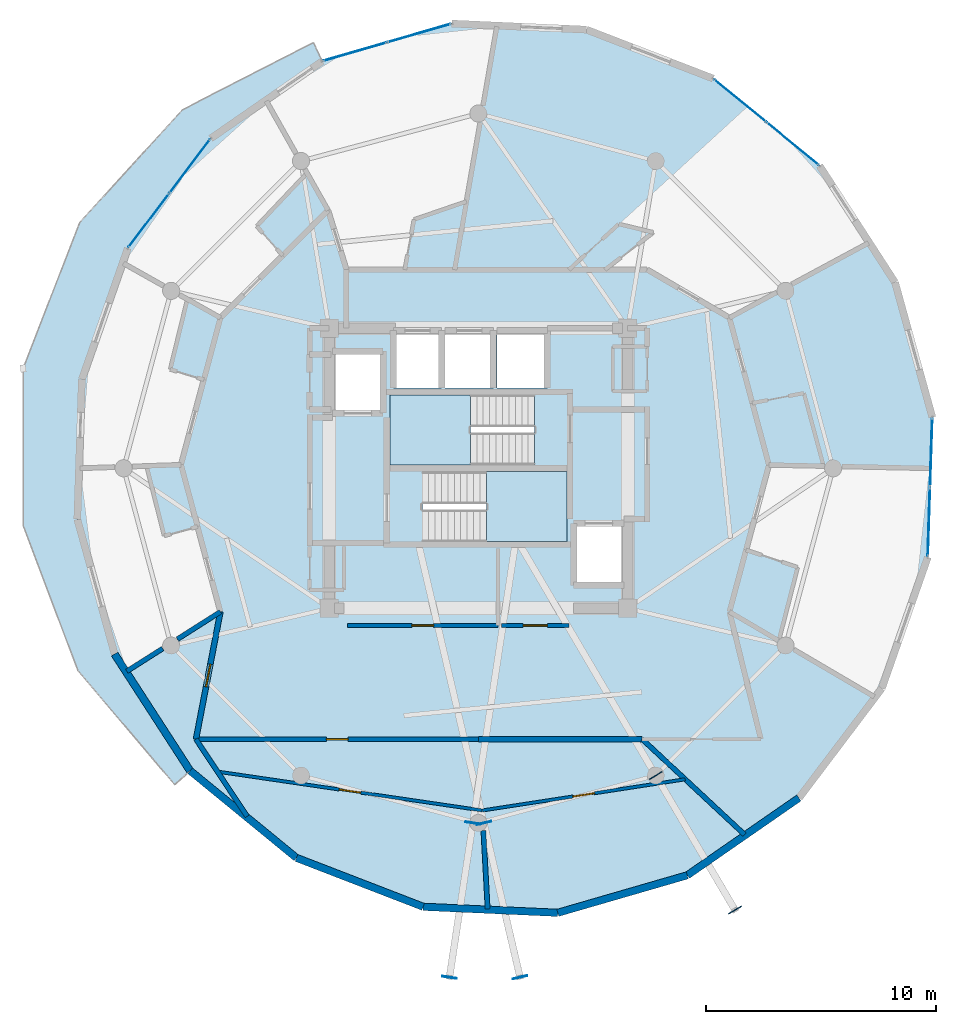
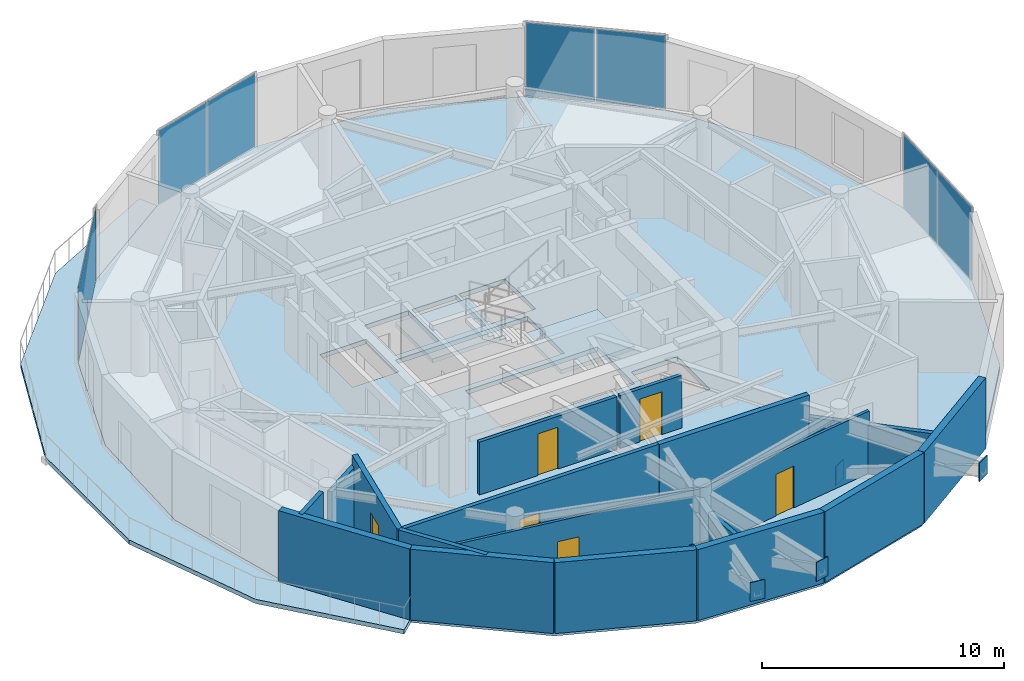
# One storey, part 10 of 16: 18 walls, 14 plates, 6 doors, 4 slabs, 6 openings, 6 elements without a shape of their own.
"""IFC4 building model written with IfcOpenShell, lengths in metres."""

from ifc_helpers import new_model, si_unit, direction, frame, frame_2d, origin, origin_2d, place, context, subcontext, project, spatial, polyline, rectangle, outline, extrude, source, transform, mapped, material, layer, layer_set, type_object, element, fill, aggregate, save


model = new_model("IFC4")

# Units and contexts
model_context = context("Model", 3, precision=1e-05, world=origin(), true_north=direction((0.0, 1.0)))
body_context = subcontext(model_context, "Body", "Model", "MODEL_VIEW")
ifc_project = project(units=[si_unit("LENGTHUNIT", "METRE"), si_unit("AREAUNIT", "SQUARE_METRE"), si_unit("VOLUMEUNIT", "CUBIC_METRE"), si_unit("PLANEANGLEUNIT", "RADIAN"), si_unit("MASSUNIT", "GRAM", prefix="KILO")], contexts=[model_context])

# Site, building, storey
site_placement = place(None, origin())
site = spatial("IfcSite", under=ifc_project, at=site_placement, CompositionType="ELEMENT")
building_placement = place(site_placement, origin())
building = spatial("IfcBuilding", under=site, at=building_placement, Name="Solvirekh Grand Hotel", CompositionType="ELEMENT")
storey_placement = place(building_placement, frame((0.0, 0.0, 258.199951171875)))
storey = spatial("IfcBuildingStorey", under=building, at=storey_placement, Name="L67", CompositionType="ELEMENT", Elevation=258.199951171875)

# Slab
ifc_material_1 = material(Name="Concrete C50/60", Category="concrete")
ifc_layer_1 = layer(ifc_material_1, 0.215087890625)
ifc_layer_set_1 = layer_set([ifc_layer_1], Name="Concrete C50/60")
slab_type_1 = type_object("IfcSlabType", Name="ExtCrescentBalc_215", PredefinedType="FLOOR", material=ifc_layer_set_1)
slab_1_placement = place(storey_placement, frame((0.0, 0.0, -0.21484375)))
element("IfcSlab", 1, at=slab_1_placement, inside=storey, type_object=slab_type_1, Name="L67 sweeping crescent balcony slab", PredefinedType="FLOOR", context=body_context, shape_type="SweptSolid", body=[
    extrude(outline(polyline([(-7.18603515625, 18.5419921875), (-12.8740234375, 15.62109375), (-17.361083984375, 10.7041015625), (-19.825927734375, 4.347900390625), (-19.823974609375, -2.5009765625), (-17.43994140625, -8.81103515625), (-13.22705078125, -13.77587890625), (-12.554931640625, -13.177001953125), (-15.843017578125, -8.094970703125), (-17.468017578125, -2.219970703125), (-17.27001953125, 3.8720703125), (-15.26904296875, 9.5849609375), (-11.660888671875, 14.360107421875), (-6.799072265625, 17.72900390625), (-7.18603515625, 18.5419921875)])), origin(), (0.0, 0.0, 1.0), 0.21484375),
])

# Stair, slab
ifc_material_2 = material(Name="Concrete C40/50", Category="concrete")
stair_type = type_object("IfcStairType", Name="Stair_Core_1450", PredefinedType="HALF_TURN_STAIR", material=ifc_material_2)
stair_1_placement = place(storey_placement, origin())
stair_1 = element("IfcStair", 2, at=stair_1_placement, inside=storey, type_object=stair_type, Name="L67 Enclosed exit stair ST-1", PredefinedType="HALF_TURN_STAIR")
ifc_layer_2 = layer(ifc_material_2, 0.199951171875)
ifc_layer_set_2 = layer_set([ifc_layer_2], Name="Concrete C40/50")
slab_type_2 = type_object("IfcSlabType", Name="Landing_Stair_200", PredefinedType="LANDING", material=ifc_layer_set_2)
slab_2_placement = place(storey_placement, frame((0.0, 0.0, 1.699951171875)))
slab_2 = element("IfcSlab", 3, at=slab_2_placement, type_object=slab_type_2, Name="ST-1 landing 1", PredefinedType="LANDING", context=body_context, shape_type="SweptSolid", body=[
    extrude(outline(polyline([(0.35009765625, -3.199951171875), (3.85009765625, -3.199951171875), (3.85009765625, -0.14990234375), (0.35009765625, -0.14990234375), (0.35009765625, -3.199951171875)])), origin(), (0.0, 0.0, 1.0), 0.2001953125),
])
aggregate(stair_1, [slab_2])

stair_2_placement = place(storey_placement, origin())
stair_2 = element("IfcStair", 4, at=stair_2_placement, inside=storey, type_object=stair_type, Name="L67 Enclosed exit stair ST-2", PredefinedType="HALF_TURN_STAIR")
slab_3_placement = place(storey_placement, frame((0.0, 0.0, 1.699951171875)))
slab_3 = element("IfcSlab", 5, at=slab_3_placement, type_object=slab_type_2, Name="ST-2 landing 1", PredefinedType="LANDING", context=body_context, shape_type="SweptSolid", body=[
    extrude(outline(polyline([(-0.35009765625, 3.199951171875), (-3.85009765625, 3.199951171875), (-3.85009765625, 0.14990234375), (-0.35009765625, 0.14990234375), (-0.35009765625, 3.199951171875)])), origin(), (0.0, 0.0, 1.0), 0.2001953125),
])
aggregate(stair_2, [slab_3])

# Plates
ifc_material_3 = material(Name="Steel S355", Category="steel")
ifc_layer_3 = layer(ifc_material_3, 0.0400390625)
ifc_layer_set_3 = layer_set([ifc_layer_3], Name="Steel S355")
plate_type_1 = type_object("IfcPlateType", Name="NodeCapPlate_40", PredefinedType="SHEET", material=ifc_layer_set_3)
for number, where, z_axis, x_axis, name in (
    (6, (-0.239990234375, -15.449951171875, -0.125), (0.0, 0.0, 1.0), (-0.150053034553, -0.988677948991, 0.0), "L67 hollow-section node plate NP-L67-POOL-1A"),
    (7, (-1.260009765625, -22.173095703125, 2.4169921875), (0.0, 0.0, 1.0), (-0.150053034553, -0.988677948991, 0.0), "L67 hollow-section node plate NP-L67-POOL-1B"),
    (8, (7.72509765625, -13.3798828125, -0.125), (0.0, 0.0, 1.0), (0.507688737887, -0.861540565163, 0.0), "L67 hollow-section node plate NP-L67-POOL-2A"),
    (9, (11.177001953125, -19.239013671875, 2.4169921875), (0.0, 0.0, 1.0), (0.507688737887, -0.861540565163, 0.0), "L67 hollow-section node plate NP-L67-POOL-2B"),
    (10, (0.239990234375, -15.449951171875, -0.125), (0.0, 0.0, 1.0), (0.228011013058, -0.973658553048, 0.0), "L67 hollow-section node plate NP-L67-POOL-3A"),
    (11, (1.81396484375, -22.16796875, 2.4169921875), (0.0, 0.0, 1.0), (0.228011013058, -0.973658553048, 0.0), "L67 hollow-section node plate NP-L67-POOL-3B"),
):
    element("IfcPlate", number, at=place(storey_placement, frame(where, z_axis=z_axis, x_axis=x_axis)), inside=storey, type_object=plate_type_1, Name=name, PredefinedType="SHEET", context=body_context, shape_type="SweptSolid", body=[
        extrude(rectangle(XDim=0.0400390625, YDim=0.64990234375, at=origin_2d()), origin(), (0.0, 0.0, 1.0), 0.949951171875),
    ])

# Slab
ifc_layer_4 = layer(ifc_material_2, 0.22998046875)
ifc_layer_set_4 = layer_set([ifc_layer_4], Name="Concrete C40/50")
slab_type_3 = type_object("IfcSlabType", Name="Slab_GuestZ4_230", PredefinedType="FLOOR", material=ifc_layer_set_4)
slab_4_placement = place(storey_placement, frame((0.0, 0.0, -0.22998046875)))
element("IfcSlab", 12, at=slab_4_placement, inside=storey, type_object=slab_type_3, Name="L67 structural floor slab", PredefinedType="FLOOR", context=body_context, shape_type="SweptSolid", body=[
    extrude(outline(polyline([(3.458984375, -19.363037109375), (9.09912109375, -17.72900390625), (13.9609375, -14.360107421875), (17.569091796875, -9.5849609375), (19.570068359375, -3.8720703125), (19.76806640625, 2.219970703125), (18.14306640625, 8.094970703125), (14.85498046875, 13.177001953125), (10.22607421875, 16.969970703125), (4.70703125, 19.10107421875), (-1.158935546875, 19.363037109375), (-6.799072265625, 17.72900390625), (-11.660888671875, 14.360107421875), (-15.26904296875, 9.5849609375), (-17.27001953125, 3.8720703125), (-17.468017578125, -2.219970703125), (-15.843017578125, -8.094970703125), (-12.554931640625, -13.177001953125), (-7.926025390625, -16.969970703125), (-2.406982421875, -19.10107421875), (3.458984375, -19.363037109375)]), holes=[polyline([(-2.444091796875, -0.14990234375), (3.85009765625, -0.14990234375), (3.85009765625, -3.199951171875), (-2.444091796875, -3.199951171875), (-2.444091796875, -0.14990234375)]), polyline([(2.444091796875, 0.14990234375), (-3.85009765625, 0.14990234375), (-3.85009765625, 3.199951171875), (2.444091796875, 3.199951171875), (2.444091796875, 0.14990234375)]), polyline([(-3.699951171875, 6.0), (-1.60009765625, 6.0), (-1.60009765625, 3.5), (-3.699951171875, 3.5), (-3.699951171875, 6.0)]), polyline([(-1.449951171875, 6.0), (0.64990234375, 6.0), (0.64990234375, 3.5), (-1.449951171875, 3.5), (-1.449951171875, 6.0)]), polyline([(0.800048828125, 6.0), (3.0, 6.0), (3.0, 3.5), (0.800048828125, 3.5), (0.800048828125, 6.0)]), polyline([(-6.35009765625, 5.10009765625), (-4.14990234375, 5.10009765625), (-4.14990234375, 2.39990234375), (-6.35009765625, 2.39990234375), (-6.35009765625, 5.10009765625)]), polyline([(4.14990234375, -2.39990234375), (6.35009765625, -2.39990234375), (6.35009765625, -5.10009765625), (4.14990234375, -5.10009765625), (4.14990234375, -2.39990234375)])]), origin(), (0.0, 0.0, 1.0), 0.22998046875),
])

# Curtain wall, plates
ifc_material_4 = material(Name="Anodized Bronze Aluminium 6063-T6", Category="aluminium")
ifc_layer_5 = layer(ifc_material_4, 0.159912109375)
ifc_layer_set_5 = layer_set([ifc_layer_5], Name="Anodized Bronze Aluminium 6063-T6")
curtain_wall_type = type_object("IfcCurtainWallType", Name="CW_Sys4_HighZoneFlushBronzeCW", PredefinedType="NOTDEFINED", material=ifc_layer_set_5)
curtain_wall_1_placement = place(storey_placement, origin())
curtain_wall_1 = element("IfcCurtainWall", 13, at=curtain_wall_1_placement, inside=storey, type_object=curtain_wall_type, Name="L67 unitised bronze-glass curtain wall CW-L67-C11", PredefinedType="NOTDEFINED")
ifc_material_5 = material(Name="Low-E Tinted Bronze Laminated Glass", Category="aluminium")
ifc_layer_6 = layer(ifc_material_5, 0.033935546875)
ifc_layer_set_6 = layer_set([ifc_layer_6], Name="Low-E Tinted Bronze Laminated Glass")
plate_type_2 = type_object("IfcPlateType", Name="CWPanel_High_34", PredefinedType="CURTAIN_PANEL", material=ifc_layer_set_6)
shared_shape_1 = source(origin(), body_context, "Body", "SweptSolid", [
    extrude(rectangle(XDim=2.845947265625, YDim=0.033935546875, at=origin_2d()), origin(), (0.0, 0.0, 1.0), 3.68994140625),
])
plate_1_placement = place(storey_placement, frame((-2.58349609375, 18.950439453125, 0.05517578125), z_axis=(0.0, 0.0, 1.0), x_axis=(-0.960501995866, -0.278273095965, 0.0)))
plate_1 = element("IfcPlate", 14, at=plate_1_placement, type_object=plate_type_2, Name="U04 panel 1.1", PredefinedType="CURTAIN_PANEL", context=body_context, shape_type="MappedRepresentation", body=[
    mapped(shared_shape_1, transform((0.0, 0.0, 0.0), x_axis=(1.0, 0.0, 0.0), y_axis=(0.0, 1.0, 0.0), z_axis=(0.0, 0.0, 1.0), scale=1.0)),
])
plate_2_placement = place(storey_placement, frame((-5.37451171875, 18.1416015625, 0.05517578125), z_axis=(0.0, 0.0, 1.0), x_axis=(-0.960501995866, -0.278273095965, 0.0)))
plate_2 = element("IfcPlate", 15, at=plate_2_placement, type_object=plate_type_2, Name="U04 panel 2.1", PredefinedType="CURTAIN_PANEL", context=body_context, shape_type="MappedRepresentation", body=[
    mapped(shared_shape_1, transform((0.0, 0.0, 0.0), x_axis=(1.0, 0.0, 0.0), y_axis=(0.0, 1.0, 0.0), z_axis=(0.0, 0.0, 1.0), scale=1.0)),
])
aggregate(curtain_wall_1, [plate_1, plate_2])

curtain_wall_2_placement = place(storey_placement, origin())
curtain_wall_2 = element("IfcCurtainWall", 16, at=curtain_wall_2_placement, inside=storey, type_object=curtain_wall_type, Name="L67 unitised bronze-glass curtain wall CW-L67-C08", PredefinedType="NOTDEFINED")
shared_shape_2 = source(origin(), body_context, "Body", "SweptSolid", [
    extrude(rectangle(XDim=2.90234375, YDim=0.033935546875, at=origin_2d()), origin(), (0.0, 0.0, 1.0), 3.68994140625),
])
plate_3_placement = place(storey_placement, frame((13.68603515625, 14.134765625, 0.05517578125), z_axis=(0.0, 0.0, 1.0), x_axis=(-0.773495506721, 0.633801783749, 0.0)))
plate_3 = element("IfcPlate", 17, at=plate_3_placement, type_object=plate_type_2, Name="U04 panel 1.1", PredefinedType="CURTAIN_PANEL", context=body_context, shape_type="MappedRepresentation", body=[
    mapped(shared_shape_2, transform((0.0, 0.0, 0.0), x_axis=(1.0, 0.0, 0.0), y_axis=(0.0, 1.0, 0.0), z_axis=(0.0, 0.0, 1.0), scale=1.0)),
])
plate_4_placement = place(storey_placement, frame((11.394775390625, 16.01220703125, 0.05517578125), z_axis=(0.0, 0.0, 1.0), x_axis=(-0.773495506721, 0.633801783749, 0.0)))
plate_4 = element("IfcPlate", 18, at=plate_4_placement, type_object=plate_type_2, Name="U04 panel 2.1", PredefinedType="CURTAIN_PANEL", context=body_context, shape_type="MappedRepresentation", body=[
    mapped(shared_shape_2, transform((0.0, 0.0, 0.0), x_axis=(1.0, 0.0, 0.0), y_axis=(0.0, 1.0, 0.0), z_axis=(0.0, 0.0, 1.0), scale=1.0)),
])
aggregate(curtain_wall_2, [plate_3, plate_4])

curtain_wall_3_placement = place(storey_placement, origin())
curtain_wall_3 = element("IfcCurtainWall", 19, at=curtain_wall_3_placement, inside=storey, type_object=curtain_wall_type, Name="L67 unitised bronze-glass curtain wall CW-L67-C13", PredefinedType="NOTDEFINED")
plate_5_placement = place(storey_placement, frame((-12.572021484375, 13.154296875, 0.05517578125), z_axis=(0.0, 0.0, 1.0), x_axis=(-0.602856726148, -0.797849464334, 0.0)))
plate_5 = element("IfcPlate", 20, at=plate_5_placement, type_object=plate_type_2, Name="U04 panel 1.1", PredefinedType="CURTAIN_PANEL", context=body_context, shape_type="MappedRepresentation", body=[
    mapped(shared_shape_2, transform((0.0, 0.0, 0.0), x_axis=(1.0, 0.0, 0.0), y_axis=(0.0, 1.0, 0.0), z_axis=(0.0, 0.0, 1.0), scale=1.0)),
])
plate_6_placement = place(storey_placement, frame((-14.35791015625, 10.790771484375, 0.05517578125), z_axis=(0.0, 0.0, 1.0), x_axis=(-0.602856726148, -0.797849464334, 0.0)))
plate_6 = element("IfcPlate", 21, at=plate_6_placement, type_object=plate_type_2, Name="U04 panel 2.1", PredefinedType="CURTAIN_PANEL", context=body_context, shape_type="MappedRepresentation", body=[
    mapped(shared_shape_2, transform((0.0, 0.0, 0.0), x_axis=(1.0, 0.0, 0.0), y_axis=(0.0, 1.0, 0.0), z_axis=(0.0, 0.0, 1.0), scale=1.0)),
])
aggregate(curtain_wall_3, [plate_5, plate_6])

curtain_wall_4_placement = place(storey_placement, origin())
curtain_wall_4 = element("IfcCurtainWall", 22, at=curtain_wall_4_placement, inside=storey, type_object=curtain_wall_type, Name="L67 unitised bronze-glass curtain wall CW-L67-C05", PredefinedType="NOTDEFINED")
shared_shape_3 = source(origin(), body_context, "Body", "SweptSolid", [
    extrude(rectangle(XDim=2.95751953125, YDim=0.033935546875, at=origin_2d()), origin(), (0.0, 0.0, 1.0), 3.68994140625),
])
plate_7_placement = place(storey_placement, frame((19.619873046875, -2.333984375, 0.05517578125), z_axis=(0.0, 0.0, 1.0), x_axis=(0.032484488421, 0.999472239741, 0.0)))
plate_7 = element("IfcPlate", 23, at=plate_7_placement, type_object=plate_type_2, Name="U04 panel 1.1", PredefinedType="CURTAIN_PANEL", context=body_context, shape_type="MappedRepresentation", body=[
    mapped(shared_shape_3, transform((0.0, 0.0, 0.0), x_axis=(1.0, 0.0, 0.0), y_axis=(0.0, 1.0, 0.0), z_axis=(0.0, 0.0, 1.0), scale=1.0)),
])
plate_8_placement = place(storey_placement, frame((19.718017578125, 0.68212890625, 0.05517578125), z_axis=(0.0, 0.0, 1.0), x_axis=(0.032484488421, 0.999472239741, 0.0)))
plate_8 = element("IfcPlate", 24, at=plate_8_placement, type_object=plate_type_2, Name="U04 panel 2.1", PredefinedType="CURTAIN_PANEL", context=body_context, shape_type="MappedRepresentation", body=[
    mapped(shared_shape_3, transform((0.0, 0.0, 0.0), x_axis=(1.0, 0.0, 0.0), y_axis=(0.0, 1.0, 0.0), z_axis=(0.0, 0.0, 1.0), scale=1.0)),
])
aggregate(curtain_wall_4, [plate_7, plate_8])

# Walls
ifc_material_6 = material(Name="Precast concrete C45/55", Category="concrete")
ifc_layer_7 = layer(ifc_material_6, 0.320068359375)
ifc_layer_set_7 = layer_set([ifc_layer_7], Name="Precast concrete C45/55")
wall_type_1 = type_object("IfcWallType", Name="ExtLobbyWall_RC320", PredefinedType="SOLIDWALL", material=ifc_layer_set_7)
wall_1_placement = place(storey_placement, frame((9.09912109375, -17.72900390625, 0.0), z_axis=(0.0, 0.0, 1.0), x_axis=(-0.960502287474, -0.278272089432, 0.0)))
element("IfcWall", 25, at=wall_1_placement, inside=storey, type_object=wall_type_1, Name="L67 cantilevered deck support wall chord 1", PredefinedType="SOLIDWALL", context=body_context, shape_type="SweptSolid", body=[
    extrude(rectangle(XDim=5.8720703125, YDim=0.320068359375, at=frame_2d((2.93603515625, 0.0))), origin(), (0.0, 0.0, 1.0), 3.570068359375),
])
wall_2_placement = place(storey_placement, frame((13.9609375, -14.360107421875, 0.0), z_axis=(0.0, 0.0, 1.0), x_axis=(-0.821952888389, -0.569555483925, 0.0)))
element("IfcWall", 26, at=wall_2_placement, inside=storey, type_object=wall_type_1, Name="L67 cantilevered deck support wall chord 2", PredefinedType="SOLIDWALL", context=body_context, shape_type="SweptSolid", body=[
    extrude(rectangle(XDim=5.9150390625, YDim=0.320068359375, at=frame_2d((2.95751953125, 0.0))), origin(), (0.0, 0.0, 1.0), 3.570068359375),
])
wall_3_placement = place(storey_placement, frame((-12.554931640625, -13.177001953125, 0.0), z_axis=(0.0, 0.0, 1.0), x_axis=(-0.543217830049, 0.839591799101, 0.0)))
element("IfcWall", 27, at=wall_3_placement, inside=storey, type_object=wall_type_1, Name="L67 cantilevered deck support wall chord 17", PredefinedType="SOLIDWALL", context=body_context, shape_type="SweptSolid", body=[
    extrude(rectangle(XDim=6.052978515625, YDim=0.320068359375, at=frame_2d((3.0263671875, 0.0))), origin(), (0.0, 0.0, 1.0), 3.570068359375),
])
wall_4_placement = place(storey_placement, frame((-7.926025390625, -16.969970703125, 0.0), z_axis=(0.0, 0.0, 1.0), x_axis=(-0.773491773729, 0.633806339486, 0.0)))
element("IfcWall", 28, at=wall_4_placement, inside=storey, type_object=wall_type_1, Name="L67 cantilevered deck support wall chord 18", PredefinedType="SOLIDWALL", context=body_context, shape_type="SweptSolid", body=[
    extrude(rectangle(XDim=5.984375, YDim=0.320068359375, at=frame_2d((2.9921875, 0.0))), origin(), (0.0, 0.0, 1.0), 3.570068359375),
])
wall_5_placement = place(storey_placement, frame((-2.406982421875, -19.10107421875, 0.0), z_axis=(0.0, 0.0, 1.0), x_axis=(-0.932869372668, 0.360214843582, 0.0)))
element("IfcWall", 29, at=wall_5_placement, inside=storey, type_object=wall_type_1, Name="L67 cantilevered deck support wall chord 19", PredefinedType="SOLIDWALL", context=body_context, shape_type="SweptSolid", body=[
    extrude(rectangle(XDim=5.916259765625, YDim=0.320068359375, at=frame_2d((2.9580078125, 0.0))), origin(), (0.0, 0.0, 1.0), 3.570068359375),
])
wall_6_placement = place(storey_placement, frame((3.458984375, -19.363037109375, 0.0), z_axis=(0.0, 0.0, 1.0), x_axis=(-0.999004316421, 0.044613627649, 0.0)))
element("IfcWall", 30, at=wall_6_placement, inside=storey, type_object=wall_type_1, Name="L67 cantilevered deck support wall chord 20", PredefinedType="SOLIDWALL", context=body_context, shape_type="SweptSolid", body=[
    extrude(rectangle(XDim=5.871826171875, YDim=0.320068359375, at=frame_2d((2.93603515625, 0.0))), origin(), (0.0, 0.0, 1.0), 3.570068359375),
])

# Wall, opening, door
ifc_material_7 = material(Name="Acoustic Gypsum Partition Assembly")
ifc_layer_8 = layer(ifc_material_7, 0.1650390625)
ifc_layer_set_8 = layer_set([ifc_layer_8], Name="Acoustic Gypsum Partition Assembly")
wall_type_2 = type_object("IfcWallType", Name="Part_BOH_165", PredefinedType="PARTITIONING", material=ifc_layer_set_8)
wall_7_placement = place(storey_placement, frame((-5.699951171875, -6.85009765625, 0.0), z_axis=(0.0, 0.0, 1.0), x_axis=(1.0, 0.0, 0.0)))
wall_7 = element("IfcWall", 31, at=wall_7_placement, inside=storey, type_object=wall_type_2, Name="L67 Housekeeping Linen Room wall 1", PredefinedType="PARTITIONING", context=body_context, shape_type="SweptSolid", body=[
    extrude(rectangle(XDim=6.550048828125, YDim=0.1650390625, at=frame_2d((3.27490234375, 0.0))), origin(), (0.0, 0.0, 1.0), 2.655029296875),
])
opening_1_placement = place(wall_7_placement, frame((2.800048828125, 0.0, 0.0)))
opening_1 = element("IfcOpeningElement", 32, at=opening_1_placement, cuts=wall_7, Name="Opening D10", PredefinedType="OPENING", context=body_context, shape_type="SweptSolid", body=[
    extrude(rectangle(XDim=0.949951171875, YDim=2.10009765625, at=frame_2d((0.47509765625, 1.050048828125))), frame((0.0, 0.092529296875, 0.0), z_axis=(0.0, -1.0, 0.0), x_axis=(1.0, 0.0, 0.0)), (0.0, 0.0, 1.0), 0.18505859375),
])
door_type_1 = type_object("IfcDoorType", Name="Door_RoomInt_950X2100", OperationType="NOTDEFINED", PredefinedType="DOOR", material=ifc_material_4)
door_1_placement = place(opening_1_placement, origin())
door_1 = element("IfcDoor", 33, at=door_1_placement, inside=storey, type_object=door_type_1, Name="L67 Housekeeping Linen Room door", OperationType="SINGLE_SWING_LEFT", OverallHeight=2.10009765625, OverallWidth=0.949951171875, PredefinedType="DOOR", context=body_context, shape_type="SweptSolid", body=[
    extrude(rectangle(XDim=0.949951171875, YDim=2.10009765625, at=frame_2d((0.47509765625, 1.050048828125))), frame((0.0, 0.02490234375, 0.0), z_axis=(0.0, -1.0, 0.0), x_axis=(1.0, 0.0, 0.0)), (0.0, 0.0, 1.0), 0.050048828125),
])
fill(opening_1, door_1)

wall_8_placement = place(storey_placement, frame((1.0, -6.85009765625, 0.0), z_axis=(0.0, 0.0, 1.0), x_axis=(1.0, 0.0, 0.0)))
wall_8 = element("IfcWall", 34, at=wall_8_placement, inside=storey, type_object=wall_type_2, Name="L67 Chilled Water Manifold Room wall 1", PredefinedType="PARTITIONING", context=body_context, shape_type="SweptSolid", body=[
    extrude(rectangle(XDim=2.949951171875, YDim=0.1650390625, at=frame_2d((1.47509765625, 0.0))), origin(), (0.0, 0.0, 1.0), 2.655029296875),
])
opening_2_placement = place(wall_8_placement, frame((0.949951171875, 0.0, 0.0)))
opening_2 = element("IfcOpeningElement", 35, at=opening_2_placement, cuts=wall_8, Name="Opening D12", PredefinedType="OPENING", context=body_context, shape_type="SweptSolid", body=[
    extrude(rectangle(XDim=1.050048828125, YDim=2.14990234375, at=frame_2d((0.52490234375, 1.074951171875))), frame((0.0, 0.092529296875, 0.0), z_axis=(0.0, -1.0, 0.0), x_axis=(1.0, 0.0, 0.0)), (0.0, 0.0, 1.0), 0.18505859375),
])
ifc_material_8 = material(Name="Fire-Rated Steel Door Assembly", Category="steel")
door_type_2 = type_object("IfcDoorType", Name="Door_PlantBOH_1050X2150", OperationType="NOTDEFINED", PredefinedType="DOOR", material=ifc_material_8)
door_2_placement = place(opening_2_placement, origin())
door_2 = element("IfcDoor", 36, at=door_2_placement, inside=storey, type_object=door_type_2, Name="L67 Chilled Water Manifold Room door", OperationType="SINGLE_SWING_RIGHT", OverallHeight=2.14990234375, OverallWidth=1.050048828125, PredefinedType="DOOR", context=body_context, shape_type="SweptSolid", body=[
    extrude(rectangle(XDim=1.050048828125, YDim=2.14990234375, at=frame_2d((0.52490234375, 1.074951171875))), frame((0.0, 0.02490234375, 0.0), z_axis=(0.0, -1.0, 0.0), x_axis=(1.0, 0.0, 0.0)), (0.0, 0.0, 1.0), 0.050048828125),
])
fill(opening_2, door_2)

# Wall
ifc_layer_9 = layer(ifc_material_7, 0.239990234375)
ifc_layer_set_9 = layer_set([ifc_layer_9], Name="Acoustic Gypsum Partition Assembly")
wall_type_3 = type_object("IfcWallType", Name="Part_Corridor_240", PredefinedType="PARTITIONING", material=ifc_layer_set_9)
wall_9_placement = place(storey_placement, frame((0.0, -11.800048828125, 0.0), z_axis=(0.0, 0.0, 1.0), x_axis=(1.0, 0.0, 0.0)))
element("IfcWall", 37, at=wall_9_placement, inside=storey, type_object=wall_type_3, Name="L67 L67 Skyline Library Lounge corridor wall 1", PredefinedType="PARTITIONING", context=body_context, shape_type="SweptSolid", body=[
    extrude(rectangle(XDim=7.134033203125, YDim=0.239990234375, at=frame_2d((3.56689453125, 0.0))), origin(), (0.0, 0.0, 1.0), 3.570068359375),
])

# Wall, opening, door
wall_10_placement = place(storey_placement, frame((-11.235107421875, -6.25, 0.0), z_axis=(0.0, 0.0, 1.0), x_axis=(-0.18844199237, -0.982084321997, 0.0)))
wall_10 = element("IfcWall", 38, at=wall_10_placement, inside=storey, type_object=wall_type_3, Name="L67 L67 South-West Study Lounge entrance wall", PredefinedType="PARTITIONING", context=body_context, shape_type="SweptSolid", body=[
    extrude(rectangle(XDim=5.6513671875, YDim=0.239990234375, at=frame_2d((2.82568359375, 0.0))), origin(), (0.0, 0.0, 1.0), 3.570068359375),
])
opening_3_placement = place(wall_10_placement, frame((2.325927734375, 0.0, 0.0)))
opening_3 = element("IfcOpeningElement", 39, at=opening_3_placement, cuts=wall_10, Name="Opening D07", PredefinedType="OPENING", context=body_context, shape_type="SweptSolid", body=[
    extrude(rectangle(XDim=1.0, YDim=2.199951171875, at=frame_2d((0.5, 1.10009765625))), frame((0.0, 0.1298828125, 0.0), z_axis=(0.0, -1.0, 0.0), x_axis=(1.0, 0.0, 0.0)), (0.0, 0.0, 1.0), 0.260009765625),
])
door_type_3 = type_object("IfcDoorType", Name="Door_GuestEntry_1000X2200", OperationType="NOTDEFINED", PredefinedType="DOOR", material=ifc_material_8)
door_3_placement = place(opening_3_placement, origin())
door_3 = element("IfcDoor", 40, at=door_3_placement, inside=storey, type_object=door_type_3, Name="L67 L67 South-West Study Lounge entrance door", OperationType="SINGLE_SWING_LEFT", OverallHeight=2.199951171875, OverallWidth=1.0, PredefinedType="DOOR", context=body_context, shape_type="SweptSolid", body=[
    extrude(rectangle(XDim=1.0, YDim=2.199951171875, at=frame_2d((0.5, 1.10009765625))), frame((0.0, 0.02490234375, 0.0), z_axis=(0.0, -1.0, 0.0), x_axis=(1.0, 0.0, 0.0)), (0.0, 0.0, 1.0), 0.050048828125),
])
fill(opening_3, door_3)

ifc_layer_10 = layer(ifc_material_7, 0.18994140625)
ifc_layer_set_10 = layer_set([ifc_layer_10], Name="Acoustic Gypsum Partition Assembly")
wall_type_4 = type_object("IfcWallType", Name="Part_GuestDemise_190", PredefinedType="PARTITIONING", material=ifc_layer_set_10)
wall_11_placement = place(storey_placement, frame((-12.300048828125, -11.800048828125, 0.0), z_axis=(0.0, 0.0, 1.0), x_axis=(1.0, 0.0, 0.0)))
wall_11 = element("IfcWall", 41, at=wall_11_placement, inside=storey, type_object=wall_type_4, Name="L67 L67 Skyline Library Lounge entrance wall", PredefinedType="PARTITIONING", context=body_context, shape_type="SweptSolid", body=[
    extrude(rectangle(XDim=12.300048828125, YDim=0.18994140625, at=frame_2d((6.14990234375, 0.0))), origin(), (0.0, 0.0, 1.0), 3.570068359375),
])
opening_4_placement = place(wall_11_placement, frame((5.675048828125, 0.0, 0.0)))
opening_4 = element("IfcOpeningElement", 42, at=opening_4_placement, cuts=wall_11, Name="Opening D10", PredefinedType="OPENING", context=body_context, shape_type="SweptSolid", body=[
    extrude(rectangle(XDim=0.949951171875, YDim=2.10009765625, at=frame_2d((0.47509765625, 1.050048828125))), frame((0.0, 0.10498046875, 0.0), z_axis=(0.0, -1.0, 0.0), x_axis=(1.0, 0.0, 0.0)), (0.0, 0.0, 1.0), 0.2099609375),
])
door_4_placement = place(opening_4_placement, origin())
door_4 = element("IfcDoor", 43, at=door_4_placement, inside=storey, type_object=door_type_1, Name="L67 L67 Skyline Library Lounge entrance door", OperationType="SINGLE_SWING_RIGHT", OverallHeight=2.10009765625, OverallWidth=0.949951171875, PredefinedType="DOOR", context=body_context, shape_type="SweptSolid", body=[
    extrude(rectangle(XDim=0.949951171875, YDim=2.10009765625, at=frame_2d((0.47509765625, 1.050048828125))), frame((0.0, 0.02490234375, 0.0), z_axis=(0.0, -1.0, 0.0), x_axis=(1.0, 0.0, 0.0)), (0.0, 0.0, 1.0), 0.050048828125),
])
fill(opening_4, door_4)

ifc_layer_11 = layer(ifc_material_7, 0.135009765625)
ifc_layer_set_11 = layer_set([ifc_layer_11], Name="Acoustic Gypsum Partition Assembly")
wall_type_5 = type_object("IfcWallType", Name="Part_RoomInt_135", PredefinedType="PARTITIONING", material=ifc_layer_set_11)
wall_12_placement = place(storey_placement, frame((-11.364013671875, -13.2109375, 0.0), z_axis=(0.0, 0.0, 1.0), x_axis=(0.989407054011, -0.145167770091, 0.0)))
wall_12 = element("IfcWall", 44, at=wall_12_placement, inside=storey, type_object=wall_type_5, Name="L67 L67 South Horizon Conservatory bedroom screen wall", PredefinedType="PARTITIONING", context=body_context, shape_type="SweptSolid", body=[
    extrude(rectangle(XDim=11.656494140625, YDim=0.135009765625, at=frame_2d((5.828125, 0.0))), origin(), (0.0, 0.0, 1.0), 3.136962890625),
])
opening_5_placement = place(wall_12_placement, frame((5.35302734375, 0.0, 0.0)))
opening_5 = element("IfcOpeningElement", 45, at=opening_5_placement, cuts=wall_12, Name="Opening D10", PredefinedType="OPENING", context=body_context, shape_type="SweptSolid", body=[
    extrude(rectangle(XDim=0.949951171875, YDim=2.10009765625, at=frame_2d((0.47509765625, 1.050048828125))), frame((0.0, 0.07763671875, 0.0), z_axis=(0.0, -1.0, 0.0), x_axis=(1.0, 0.0, 0.0)), (0.0, 0.0, 1.0), 0.155029296875),
])
door_5_placement = place(opening_5_placement, origin())
door_5 = element("IfcDoor", 46, at=door_5_placement, inside=storey, type_object=door_type_1, Name="L67 L67 South Horizon Conservatory master bedroom door", OperationType="SINGLE_SWING_RIGHT", OverallHeight=2.10009765625, OverallWidth=0.949951171875, PredefinedType="DOOR", context=body_context, shape_type="SweptSolid", body=[
    extrude(rectangle(XDim=0.949951171875, YDim=2.10009765625, at=frame_2d((0.47509765625, 1.050048828125))), frame((0.0, 0.02490234375, 0.0), z_axis=(0.0, -1.0, 0.0), x_axis=(1.0, 0.0, 0.0)), (0.0, 0.0, 1.0), 0.050048828125),
])
fill(opening_5, door_5)

wall_13_placement = place(storey_placement, frame((0.1689453125, -14.903076171875, 0.0), z_axis=(0.0, 0.0, 1.0), x_axis=(0.988395361394, 0.151903290202, 0.0)))
wall_13 = element("IfcWall", 47, at=wall_13_placement, inside=storey, type_object=wall_type_5, Name="L67 L67 Riverfront Tea Belvedere bedroom screen wall", PredefinedType="PARTITIONING", context=body_context, shape_type="SweptSolid", body=[
    extrude(rectangle(XDim=8.94091796875, YDim=0.135009765625, at=frame_2d((4.470458984375, 0.0))), origin(), (0.0, 0.0, 1.0), 3.136962890625),
])
opening_6_placement = place(wall_13_placement, frame((3.9951171875, 0.0, 0.0)))
opening_6 = element("IfcOpeningElement", 48, at=opening_6_placement, cuts=wall_13, Name="Opening D10", PredefinedType="OPENING", context=body_context, shape_type="SweptSolid", body=[
    extrude(rectangle(XDim=0.949951171875, YDim=2.10009765625, at=frame_2d((0.47509765625, 1.050048828125))), frame((0.0, 0.07763671875, 0.0), z_axis=(0.0, -1.0, 0.0), x_axis=(1.0, 0.0, 0.0)), (0.0, 0.0, 1.0), 0.155029296875),
])
door_6_placement = place(opening_6_placement, origin())
door_6 = element("IfcDoor", 49, at=door_6_placement, inside=storey, type_object=door_type_1, Name="L67 L67 Riverfront Tea Belvedere master bedroom door", OperationType="SINGLE_SWING_LEFT", OverallHeight=2.10009765625, OverallWidth=0.949951171875, PredefinedType="DOOR", context=body_context, shape_type="SweptSolid", body=[
    extrude(rectangle(XDim=0.949951171875, YDim=2.10009765625, at=frame_2d((0.47509765625, 1.050048828125))), frame((0.0, 0.02490234375, 0.0), z_axis=(0.0, -1.0, 0.0), x_axis=(1.0, 0.0, 0.0)), (0.0, 0.0, 1.0), 0.050048828125),
])
fill(opening_6, door_6)

# Walls
ifc_layer_12 = layer(ifc_material_7, 0.2099609375)
ifc_layer_set_12 = layer_set([ifc_layer_12], Name="Acoustic Gypsum Partition Assembly")
wall_type_6 = type_object("IfcWallType", Name="Part_SuiteDemise_210", PredefinedType="PARTITIONING", material=ifc_layer_set_12)
wall_14_placement = place(storey_placement, frame((-11.235107421875, -6.25, 0.0), z_axis=(0.0, 0.0, 1.0), x_axis=(-0.844109998161, -0.536170039265, 0.0)))
element("IfcWall", 50, at=wall_14_placement, inside=storey, type_object=wall_type_6, Name="L67 suite radial wall 8 (A)", PredefinedType="PARTITIONING", context=body_context, shape_type="SweptSolid", body=[
    extrude(rectangle(XDim=2.217529296875, YDim=0.2099609375, at=frame_2d((1.10888671875, 0.0))), origin(), (0.0, 0.0, 1.0), 3.0849609375),
])
wall_15_placement = place(storey_placement, frame((-13.75390625, -7.85107421875, 0.0), z_axis=(0.0, 0.0, 1.0), x_axis=(-0.844189076995, -0.536045522583, 0.0)))
element("IfcWall", 51, at=wall_15_placement, inside=storey, type_object=wall_type_6, Name="L67 suite radial wall 8 (B)", PredefinedType="PARTITIONING", context=body_context, shape_type="SweptSolid", body=[
    extrude(rectangle(XDim=1.846923828125, YDim=0.2099609375, at=frame_2d((0.92333984375, 0.0))), origin(), (0.0, 0.0, 1.0), 3.570068359375),
])
wall_16_placement = place(storey_placement, frame((7.134033203125, -11.800048828125, 0.0), z_axis=(0.0, 0.0, 1.0), x_axis=(0.731533464102, -0.681805537451, 0.0)))
element("IfcWall", 52, at=wall_16_placement, inside=storey, type_object=wall_type_6, Name="L67 L67 Skyline Library Lounge dividing partition 1", PredefinedType="PARTITIONING", context=body_context, shape_type="SweptSolid", body=[
    extrude(rectangle(XDim=6.0927734375, YDim=0.2099609375, at=frame_2d((3.04638671875, 0.0))), origin(), (0.0, 0.0, 1.0), 2.448974609375),
])
wall_17_placement = place(storey_placement, frame((-12.300048828125, -11.800048828125, 0.0), z_axis=(0.0, 0.0, 1.0), x_axis=(0.552658168023, -0.833408032909, 0.0)))
element("IfcWall", 53, at=wall_17_placement, inside=storey, type_object=wall_type_6, Name="L67 L67 Skyline Library Lounge dividing partition 2", PredefinedType="PARTITIONING", context=body_context, shape_type="SweptSolid", body=[
    extrude(rectangle(XDim=4.031494140625, YDim=0.2099609375, at=frame_2d((2.015625, 0.0))), origin(), (0.0, 0.0, 1.0), 3.570068359375),
])
wall_18_placement = place(storey_placement, frame((0.217041015625, -15.780029296875, 0.0), z_axis=(0.0, 0.0, 1.0), x_axis=(0.054237497116, -0.998528063655, 0.0)))
element("IfcWall", 54, at=wall_18_placement, inside=storey, type_object=wall_type_6, Name="L67 L67 South Horizon Conservatory dividing partition 1 (A)", PredefinedType="PARTITIONING", context=body_context, shape_type="SweptSolid", body=[
    extrude(rectangle(XDim=3.412109375, YDim=0.2099609375, at=frame_2d((1.7060546875, 0.0))), origin(), (0.0, 0.0, 1.0), 2.448974609375),
])

save(model, "model.ifc")
